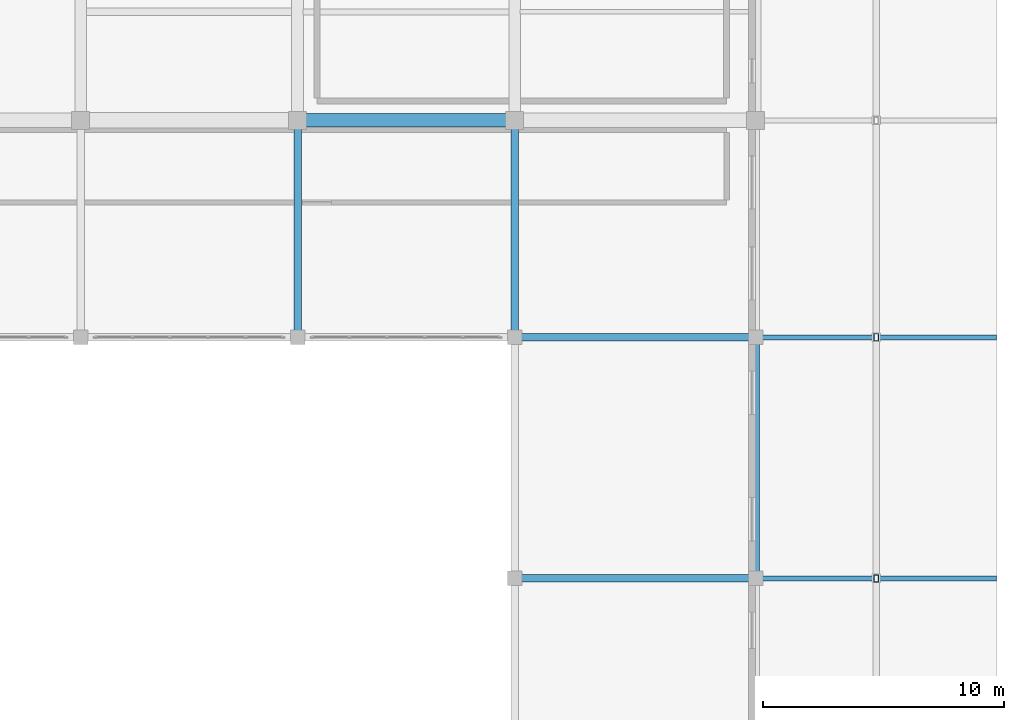
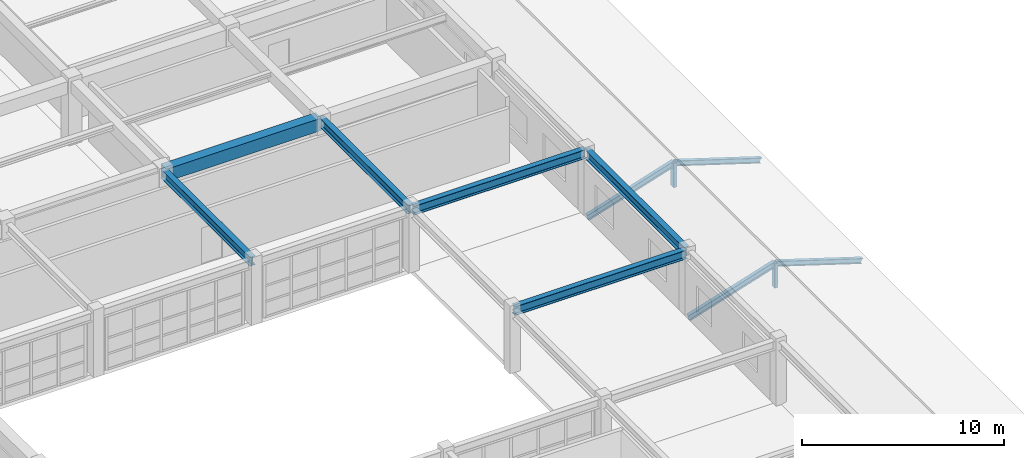
# One storey, part 79 of 130: 6 beams, 6 members.
"""IFC4 building model written with IfcOpenShell, lengths in metres."""

import ifcopenshell
import ifcopenshell.guid

model = None  # the IFC model being written
_history = None  # IfcOwnerHistory: only IFC2X3 demands one
_inside = {}  # id of a spatial element -> (the spatial element, [elements in it])
_under = {}  # id of a project, library or spatial element -> (it, [spatial elements below it])
_declared = {}  # id of a project -> (the project, [libraries it declares])
_typed = {}  # id of a type object -> (the type object, [elements of that type])
_made_of = {}  # id of a material, layer set ... -> (it, [elements and type objects made of it])


def new_model(schema):
    """Start an empty IFC model of exactly this schema.

    Asked for "IFC4X3", IfcOpenShell would pick the latest addendum, in which some entities
    have other attributes; the version numbers below select the first issue.
    IFC2X3 requires an IfcOwnerHistory on every rooted entity: one is made here for all.
    """
    global model, _history
    if schema == "IFC4X3":
        model = ifcopenshell.file(schema_version=(4, 3, 0, 0))
    else:
        model = ifcopenshell.file(schema=schema)
    _inside.clear()
    _under.clear()
    _declared.clear()
    _typed.clear()
    _made_of.clear()
    _history = None
    if model.schema == "IFC2X3":
        org = make("IfcOrganization", Name="unknown")
        user = make(
            "IfcPersonAndOrganization",
            ThePerson=make("IfcPerson", FamilyName="unknown"),
            TheOrganization=org,
        )
        app = make(
            "IfcApplication",
            ApplicationDeveloper=org,
            Version="unknown",
            ApplicationFullName="unknown",
            ApplicationIdentifier="unknown",
        )
        _history = make(
            "IfcOwnerHistory",
            OwningUser=user,
            OwningApplication=app,
            ChangeAction="ADDED",
            CreationDate=0,
        )
    return model


def make(cls, **values):
    """One entity of the class cls with the attributes given. An attribute that is None is left unset."""
    return model.create_entity(
        cls, **{name: value for name, value in values.items() if value is not None}
    )


def rooted(cls, **values):
    """An entity with a GlobalId (a new one), such as an element, a storey or a relation."""
    return make(cls, GlobalId=ifcopenshell.guid.new(), OwnerHistory=_history, **values)


def si_unit(unit_type, name, prefix=None):
    """IfcSIUnit, for example si_unit("LENGTHUNIT", "METRE", prefix="MILLI")."""
    return make("IfcSIUnit", UnitType=unit_type, Prefix=prefix, Name=name)


def assignment(units):
    """IfcUnitAssignment: the units of a project."""
    return None if units is None else make("IfcUnitAssignment", Units=units)


def point(xyz):
    """IfcCartesianPoint."""
    return None if xyz is None else make("IfcCartesianPoint", Coordinates=xyz)


def direction(xyz):
    """IfcDirection."""
    return None if xyz is None else make("IfcDirection", DirectionRatios=xyz)


def frame(location, z_axis=None, x_axis=None):
    """IfcAxis2Placement3D, a coordinate frame: its origin and axes. An axis left out is left unset."""
    return make(
        "IfcAxis2Placement3D",
        Location=point(location),
        Axis=direction(z_axis),
        RefDirection=direction(x_axis),
    )


def frame_2d(location, x_axis=None):
    """IfcAxis2Placement2D, a coordinate frame in the plane: its origin and x axis."""
    return make(
        "IfcAxis2Placement2D", Location=point(location), RefDirection=direction(x_axis)
    )


def origin():
    """The frame at (0, 0, 0) with its axes left unset."""
    return frame((0.0, 0.0, 0.0))


def origin_2d():
    """The frame at (0, 0) in the plane with its x axis left unset."""
    return frame_2d((0.0, 0.0))


def place(relative_to, where):
    """IfcLocalPlacement: puts the frame where relative to a parent placement (None: the world)."""
    return make(
        "IfcLocalPlacement", PlacementRelTo=relative_to, RelativePlacement=where
    )


def context(
    kind, dimensions, precision=None, world=None, true_north=None, identifier=None
):
    """IfcGeometricRepresentationContext, for example the 3D "Model" context."""
    return make(
        "IfcGeometricRepresentationContext",
        ContextIdentifier=identifier,
        ContextType=kind,
        CoordinateSpaceDimension=dimensions,
        Precision=precision,
        WorldCoordinateSystem=world,
        TrueNorth=true_north,
    )


def subcontext(parent, identifier, kind, view, scale=None):
    """IfcGeometricRepresentationSubContext, for example "Body" below "Model"."""
    return make(
        "IfcGeometricRepresentationSubContext",
        ContextIdentifier=identifier,
        ContextType=kind,
        ParentContext=parent,
        TargetScale=scale,
        TargetView=view,
    )


def project(units=None, contexts=None):
    """IfcProject with its units and contexts."""
    return rooted(
        "IfcProject",
        Name="project",
        RepresentationContexts=contexts,
        UnitsInContext=assignment(units),
    )


def spatial(cls, under=None, at=None, **own):
    """A site, building, storey or space (cls), placed at a placement, below another one or the project."""
    s = rooted(cls, ObjectPlacement=at, **own)
    if under is not None:
        _under.setdefault(under.id(), (under, []))[1].append(s)
    return s


def profile(cls, at=None, kind="AREA", **sizes):
    """A parametric profile (cls). Its sizes go by their IFC names, for example OverallWidth=200.0."""
    return make(cls, ProfileType=kind, Position=at, **sizes)


def rectangle(**sizes):
    """IfcRectangleProfileDef."""
    return profile("IfcRectangleProfileDef", **sizes)


def hollow_rectangle(**sizes):
    """IfcRectangleHollowProfileDef."""
    return profile("IfcRectangleHollowProfileDef", **sizes)


def i_section(**sizes):
    """IfcIShapeProfileDef."""
    return profile("IfcIShapeProfileDef", **sizes)


def extrude(swept, where, along, depth):
    """IfcExtrudedAreaSolid: the profile swept, set in the frame where, extruded along a direction by depth."""
    return make(
        "IfcExtrudedAreaSolid",
        SweptArea=swept,
        Position=where,
        ExtrudedDirection=direction(along),
        Depth=depth,
    )


def shape(context_of_items, identifier, shape_type, items):
    """IfcShapeRepresentation: the items that make up one representation, for example the "Body"."""
    return make(
        "IfcShapeRepresentation",
        ContextOfItems=context_of_items,
        RepresentationIdentifier=identifier,
        RepresentationType=shape_type,
        Items=items,
    )


def material(Name=None, Category=None):
    """IfcMaterial."""
    return make("IfcMaterial", Name=Name, Category=Category)


def material_profile(
    of_material, cross_section, Name=None, Category=None, Priority=None
):
    """IfcMaterialProfile: a cross section and its material."""
    return make(
        "IfcMaterialProfile",
        Name=Name,
        Material=of_material,
        Profile=cross_section,
        Priority=Priority,
        Category=Category,
    )


def profile_set(profiles, Name=None, composite=None):
    """IfcMaterialProfileSet."""
    return make(
        "IfcMaterialProfileSet",
        Name=Name,
        MaterialProfiles=profiles,
        CompositeProfile=composite,
    )


def made_of(thing, what):
    """Note that an element or type object is made of a material, layer set ...; save() writes the relation."""
    if what is not None:
        _made_of.setdefault(what.id(), (what, []))[1].append(thing)
    return thing


def type_object(cls, material=None, **own):
    """A type object (cls), such as IfcWallType, which elements share."""
    return made_of(rooted(cls, **own), material)


def element(
    cls,
    number,
    at=None,
    inside=None,
    cuts=None,
    type_object=None,
    material=None,
    context=None,
    identifier="Body",
    shape_type=None,
    held_by="IfcProductDefinitionShape",
    body=None,
    shapes=None,
    **own,
):
    """One element of the class cls, such as IfcWall. Its Tag is "e" and its number.

    at: its placement. inside: the storey or other place that contains it. cuts: it is an
    opening in that element (IfcRelVoidsElement). A single representation is given by context,
    identifier, shape_type and body (its items); several are given by shapes. held_by: the class
    of the entity that holds the representations. save() writes the other relations.
    """
    e = rooted(cls, Tag="e%d" % number, ObjectPlacement=at, **own)
    if body is not None:
        shapes = [shape(context, identifier, shape_type, body)]
    if shapes is not None:
        e.Representation = make(held_by, Representations=shapes)
    if inside is not None:
        _inside.setdefault(inside.id(), (inside, []))[1].append(e)
    if cuts is not None:
        rooted(
            "IfcRelVoidsElement", RelatingBuildingElement=cuts, RelatedOpeningElement=e
        )
    if type_object is not None:
        _typed.setdefault(type_object.id(), (type_object, []))[1].append(e)
    return made_of(e, material)


def aggregate(whole, parts):
    """IfcRelAggregates: a whole, such as a stair, and the parts it consists of."""
    return rooted("IfcRelAggregates", RelatingObject=whole, RelatedObjects=parts)


def save(model, path):
    """Write the relations noted so far, then the file.

    IfcRelAggregates (storeys below a building ...), IfcRelContainedInSpatialStructure (elements
    in a storey), IfcRelDefinesByType, IfcRelAssociatesMaterial and IfcRelDeclares: one each for
    every whole, place, type object, material and project.
    """
    for whole, parts in _under.values():
        aggregate(whole, parts)
    for where, things in _inside.values():
        rooted(
            "IfcRelContainedInSpatialStructure",
            RelatedElements=things,
            RelatingStructure=where,
        )
    for kind, things in _typed.values():
        rooted("IfcRelDefinesByType", RelatedObjects=things, RelatingType=kind)
    for what, things in _made_of.values():
        rooted("IfcRelAssociatesMaterial", RelatedObjects=things, RelatingMaterial=what)
    for by, libraries in _declared.values():
        rooted("IfcRelDeclares", RelatingContext=by, RelatedDefinitions=libraries)
    model.write(path)


model = new_model("IFC4")

# Units and contexts
model_context = context("Model", 3, precision=1e-05, world=origin(), true_north=direction((0.0, 1.0)))
body_context = subcontext(model_context, "Body", "Model", "MODEL_VIEW")
ifc_project = project(units=[si_unit("LENGTHUNIT", "METRE"), si_unit("AREAUNIT", "SQUARE_METRE"), si_unit("VOLUMEUNIT", "CUBIC_METRE"), si_unit("PLANEANGLEUNIT", "RADIAN"), si_unit("MASSUNIT", "GRAM", prefix="KILO")], contexts=[model_context])

# Site, building, storey
site_placement = place(None, origin())
site = spatial("IfcSite", under=ifc_project, at=site_placement, CompositionType="ELEMENT")
building_placement = place(site_placement, origin())
building = spatial("IfcBuilding", under=site, at=building_placement, Name="Miravela Opera House", CompositionType="ELEMENT")
storey_placement = place(building_placement, frame((0.0, 0.0, 9.52001953125)))
storey = spatial("IfcBuildingStorey", under=building, at=storey_placement, Name="L02", CompositionType="ELEMENT", Elevation=9.52001953125)

# Beams
ifc_material_1 = material(Name="Concrete C35/45", Category="concrete")
ifc_material_profile_1 = material_profile(ifc_material_1, rectangle(XDim=0.550048828125, YDim=0.75, at=origin_2d()), Name="RC-BM-550X750")
ifc_profile_set_1 = profile_set([ifc_material_profile_1])
beam_type_1 = type_object("IfcBeamType", Name="STR-BM-RC550X750", PredefinedType="BEAM", material=ifc_profile_set_1)
beam_placement = place(storey_placement, frame((135.080078125, 37.0, 3.465087890625), z_axis=(1.0, 0.0, 0.0), x_axis=(0.0, 1.0, 0.0)))
element("IfcBeam", 1, at=beam_placement, inside=storey, type_object=beam_type_1, Name="Floor Girder L02 16-17/E", PredefinedType="BEAM", context=body_context, shape_type="SweptSolid", body=[
    extrude(rectangle(XDim=0.550048828125, YDim=0.75, at=origin_2d()), origin(), (0.0, 0.0, 1.0), 8.83984375),
])
ifc_material_2 = material(Name="Structural steel ASTM A992 Gr. 50", Category="steel")
ifc_material_profile_2 = material_profile(ifc_material_2, i_section(OverallWidth=0.31201171875, OverallDepth=0.54296875, WebThickness=0.0126953125, FlangeThickness=0.020263671875, FilletRadius=0.01611328125, at=origin_2d()), Name="W530X150")
ifc_profile_set_2 = profile_set([ifc_material_profile_2])
beam_type_2 = type_object("IfcBeamType", Name="STR-BM-W530X150", PredefinedType="BEAM", material=ifc_profile_set_2)
for number, where, z_axis, x_axis, name in (
    (2, (154.0, 18.080078125, 3.568359375), (0.0, 1.0, 0.0), (-1.0, 0.0, 0.0), "Roof Eave Girder ROOF-V4-EAST-M E2"),
    (3, (144.080078125, 18.0, 3.568359375), (1.0, 0.0, 0.0), (0.0, 1.0, 0.0), "Roof King-Post Transverse Tie Girder ROOF-V4-EAST-M T1.1"),
    (4, (144.080078125, 28.0, 3.568359375), (1.0, 0.0, 0.0), (0.0, 1.0, 0.0), "Roof King-Post Transverse Tie Girder ROOF-V4-EAST-M T2.1"),
):
    element("IfcBeam", number, at=place(storey_placement, frame(where, z_axis=z_axis, x_axis=x_axis)), inside=storey, type_object=beam_type_2, Name=name, PredefinedType="BEAM", context=body_context, shape_type="SweptSolid", body=[
        extrude(i_section(OverallWidth=0.31201171875, OverallDepth=0.54296875, WebThickness=0.0126953125, FlangeThickness=0.020263671875, FilletRadius=0.01611328125, at=origin_2d()), origin(), (0.0, 0.0, 1.0), 9.83984375),
    ])
for number, where, z_axis, x_axis, name in (
    (5, (135.0, 28.080078125, 3.568359375), (0.0, 1.0, 0.0), (-1.0, 0.0, 0.0), "Roof King-Post Transverse Tie Girder ROOF-V4-NE T2.1"),
    (6, (144.0, 28.080078125, 3.568359375), (0.0, 1.0, 0.0), (-1.0, 0.0, 0.0), "Roof King-Post Transverse Tie Girder ROOF-V4-NE T3.1"),
):
    element("IfcBeam", number, at=place(storey_placement, frame(where, z_axis=z_axis, x_axis=x_axis)), inside=storey, type_object=beam_type_2, Name=name, PredefinedType="BEAM", context=body_context, shape_type="SweptSolid", body=[
        extrude(i_section(OverallWidth=0.31201171875, OverallDepth=0.54296875, WebThickness=0.0126953125, FlangeThickness=0.020263671875, FilletRadius=0.01611328125, at=origin_2d()), origin(), (0.0, 0.0, 1.0), 8.83984375),
    ])

# Members
ifc_material_3 = material(Name="Hollow structural steel ASTM A500 Gr. C", Category="steel")
ifc_material_profile_3 = material_profile(ifc_material_3, hollow_rectangle(XDim=0.199951171875, YDim=0.300048828125, WallThickness=0.011962890625, InnerFilletRadius=0.011962890625, OuterFilletRadius=0.02392578125, at=origin_2d()), Name="HSS300X200X12")
ifc_profile_set_3 = profile_set([ifc_material_profile_3])
member_type_1 = type_object("IfcMemberType", Name="STR-MEM-POST-HSS300X200", PredefinedType="POST", material=ifc_profile_set_3)
for number, where, z_axis, x_axis, name in (
    (7, (159.0, 18.0, -0.25), (0.0, 0.0, 1.0), (1.0, 0.0, 0.0), "Roof Ridge Support Post ROOF-V4-FAR-E M2"),
    (8, (159.0, 28.0, -0.25), (0.0, 0.0, 1.0), (1.0, 0.0, 0.0), "Roof Ridge Support Post ROOF-V4-FAR-E M3"),
):
    element("IfcMember", number, at=place(storey_placement, frame(where, z_axis=z_axis, x_axis=x_axis)), inside=storey, type_object=member_type_1, Name=name, PredefinedType="POST", context=body_context, shape_type="SweptSolid", body=[
        extrude(hollow_rectangle(XDim=0.199951171875, YDim=0.300048828125, WallThickness=0.011962890625, InnerFilletRadius=0.011962890625, OuterFilletRadius=0.02392578125, at=origin_2d()), origin(), (0.0, 0.0, 1.0), 1.469970703125),
    ])
ifc_material_profile_4 = material_profile(ifc_material_2, i_section(OverallWidth=0.2041015625, OverallDepth=0.35009765625, WebThickness=0.008544921875, FlangeThickness=0.01513671875, FilletRadius=0.013916015625, at=origin_2d()), Name="W360X72")
ifc_profile_set_4 = profile_set([ifc_material_profile_4])
member_type_2 = type_object("IfcMemberType", Name="STR-MEM-RAFTER-1", PredefinedType="RAFTER", material=ifc_profile_set_4)
for number, where, z_axis, x_axis, name in (
    (9, (154.050048828125, 18.0, -0.39990234375), (0.953766624153, 0.0, 0.300548210195), (0.0, 1.0, 0.0), "Pitched Roof Rafter ROOF-V4-FAR-E W2"),
    (10, (154.050048828125, 28.0, -0.39990234375), (0.953766624153, 0.0, 0.300548210195), (0.0, 1.0, 0.0), "Pitched Roof Rafter ROOF-V4-FAR-E W3"),
):
    element("IfcMember", number, at=place(storey_placement, frame(where, z_axis=z_axis, x_axis=x_axis)), inside=storey, type_object=member_type_2, Name=name, PredefinedType="RAFTER", context=body_context, shape_type="SweptSolid", body=[
        extrude(i_section(OverallWidth=0.2041015625, OverallDepth=0.35009765625, WebThickness=0.008544921875, FlangeThickness=0.01513671875, FilletRadius=0.013916015625, at=origin_2d()), origin(), (0.0, 0.0, 1.0), 5.18994140625),
    ])
ifc_material_profile_5 = material_profile(ifc_material_2, i_section(OverallWidth=0.202880859375, OverallDepth=0.302978515625, WebThickness=0.007568359375, FlangeThickness=0.01318359375, FilletRadius=0.012939453125, at=origin_2d()), Name="W310X60")
ifc_profile_set_5 = profile_set([ifc_material_profile_5])
member_type_3 = type_object("IfcMemberType", Name="STR-MEM-RAFTER-2", PredefinedType="RAFTER", material=ifc_profile_set_5)
for number, where, z_axis, x_axis, name in (
    (11, (163.949951171875, 18.0, -0.39990234375), (-0.953766624153, 0.0, 0.300548210195), (0.0, -1.0, 0.0), "Pitched Roof Rafter ROOF-V4-FAR-E E2"),
    (12, (163.949951171875, 28.0, -0.39990234375), (-0.953766624153, 0.0, 0.300548210195), (0.0, -1.0, 0.0), "Pitched Roof Rafter ROOF-V4-FAR-E E3"),
):
    element("IfcMember", number, at=place(storey_placement, frame(where, z_axis=z_axis, x_axis=x_axis)), inside=storey, type_object=member_type_3, Name=name, PredefinedType="RAFTER", context=body_context, shape_type="SweptSolid", body=[
        extrude(i_section(OverallWidth=0.202880859375, OverallDepth=0.302978515625, WebThickness=0.007568359375, FlangeThickness=0.01318359375, FilletRadius=0.012939453125, at=origin_2d()), origin(), (0.0, 0.0, 1.0), 5.18994140625),
    ])

save(model, "model.ifc")
